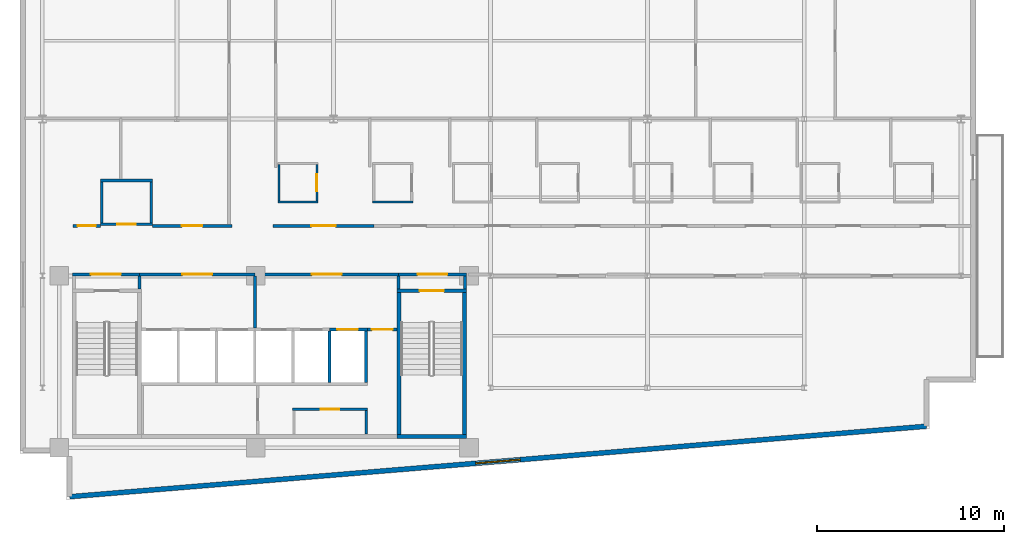
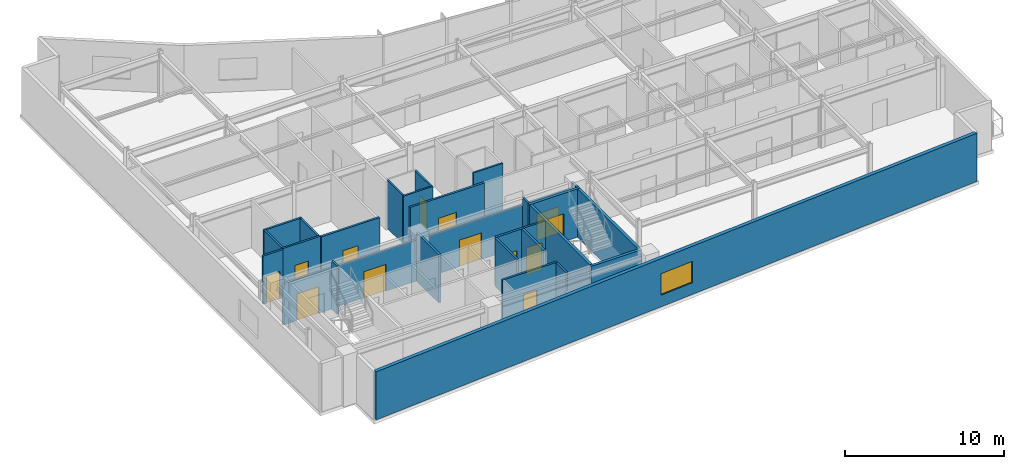
# One storey, part 9 of 15: 30 walls, 13 doors, 1 window, 14 openings.
"""IFC4 building model written with IfcOpenShell, lengths in metres."""

from ifc_helpers import new_model, si_unit, direction, frame, frame_2d, origin, place, context, subcontext, project, spatial, rectangle, extrude, material, layer, layer_set, type_object, element, fill, save


model = new_model("IFC4")

# Units and contexts
model_context = context("Model", 3, precision=1e-05, world=origin(), true_north=direction((0.0, 1.0)))
body_context = subcontext(model_context, "Body", "Model", "MODEL_VIEW")
ifc_project = project(units=[si_unit("LENGTHUNIT", "METRE"), si_unit("AREAUNIT", "SQUARE_METRE"), si_unit("VOLUMEUNIT", "CUBIC_METRE"), si_unit("PLANEANGLEUNIT", "RADIAN"), si_unit("MASSUNIT", "GRAM", prefix="KILO")], contexts=[model_context])

# Site, building, storey
site_placement = place(None, origin())
site = spatial("IfcSite", under=ifc_project, at=site_placement, CompositionType="ELEMENT")
building_placement = place(site_placement, origin())
building = spatial("IfcBuilding", under=site, at=building_placement, Name="Varnakote Quay Hospital", CompositionType="ELEMENT")
storey_placement = place(building_placement, frame((0.0, 0.0, 196.050048828125)))
storey = spatial("IfcBuildingStorey", under=building, at=storey_placement, Name="L48", CompositionType="ELEMENT", Elevation=196.050048828125)

# Wall, opening, door
ifc_material_1 = material(Name="Fire-rated acoustic gypsum stud wall", Category="gypsum")
ifc_layer_1 = layer(ifc_material_1, 0.159912109375)
ifc_layer_set_1 = layer_set([ifc_layer_1], Name="Fire-rated acoustic gypsum stud wall")
wall_type_1 = type_object("IfcWallType", Name="WL-COMP-160", PredefinedType="PARTITIONING", material=ifc_layer_set_1)
wall_1_placement = place(storey_placement, frame((2.800048828125, 12.080078125, 0.0), z_axis=(0.0, 0.0, 1.0), x_axis=(1.0, 0.0, 0.0)))
wall_1 = element("IfcWall", 1, at=wall_1_placement, inside=storey, type_object=wall_type_1, Name="L48 West Stair Vestibule Smoke Wall", PredefinedType="PARTITIONING", context=body_context, shape_type="SweptSolid", body=[
    extrude(rectangle(XDim=3.599853515625, YDim=0.159912109375, at=frame_2d((1.7998046875, 0.0))), origin(), (0.0, 0.0, 1.0), 3.15185546875),
])
opening_1_placement = place(wall_1_placement, frame((1.0, 0.0, 0.0)))
opening_1 = element("IfcOpeningElement", 2, at=opening_1_placement, cuts=wall_1, Name="Opening D-ST1L-L48", PredefinedType="OPENING", context=body_context, shape_type="SweptSolid", body=[
    extrude(rectangle(XDim=1.60009765625, YDim=2.050048828125, at=frame_2d((0.800048828125, 1.02490234375))), frame((0.0, 0.08984375, 0.0), z_axis=(0.0, -1.0, 0.0), x_axis=(1.0, 0.0, 0.0)), (0.0, 0.0, 1.0), 0.179931640625),
])
ifc_material_2 = material(Name="Fire-rated double smoke lobby door")
door_type_1 = type_object("IfcDoorType", Name="DR-LOBBY-FD60S-1600x2150", OperationType="NOTDEFINED", PredefinedType="DOOR", material=ifc_material_2)
door_1_placement = place(opening_1_placement, origin())
door_1 = element("IfcDoor", 3, at=door_1_placement, inside=storey, type_object=door_type_1, Name="L48 West Stair Vestibule Smoke Door", OperationType="DOUBLE_DOOR_SINGLE_SWING", OverallHeight=2.050048828125, OverallWidth=1.60009765625, PredefinedType="DOOR", context=body_context, shape_type="SweptSolid", body=[
    extrude(rectangle(XDim=1.60009765625, YDim=2.050048828125, at=frame_2d((0.800048828125, 1.02490234375))), frame((0.0, 0.02490234375, 0.0), z_axis=(0.0, -1.0, 0.0), x_axis=(1.0, 0.0, 0.0)), (0.0, 0.0, 1.0), 0.050048828125),
])
fill(opening_1, door_1)

# Wall
wall_2_placement = place(storey_placement, frame((6.39990234375, 11.300048828125, 0.0), z_axis=(0.0, 0.0, 1.0), x_axis=(0.0, 1.0, 0.0)))
element("IfcWall", 4, at=wall_2_placement, inside=storey, type_object=wall_type_1, Name="L48 Firefighting Lobby West Wall", PredefinedType="PARTITIONING", context=body_context, shape_type="SweptSolid", body=[
    extrude(rectangle(XDim=0.699951171875, YDim=0.159912109375, at=frame_2d((0.35009765625, 0.0))), origin(), (0.0, 0.0, 1.0), 3.7099609375),
])

# Wall, opening, door
wall_3_placement = place(storey_placement, frame((6.39990234375, 12.080078125, 0.0), z_axis=(0.0, 0.0, 1.0), x_axis=(1.0, 0.0, 0.0)))
wall_3 = element("IfcWall", 5, at=wall_3_placement, inside=storey, type_object=wall_type_1, Name="L48 Firefighting Lift Lobby Compartment Wall", PredefinedType="PARTITIONING", context=body_context, shape_type="SweptSolid", body=[
    extrude(rectangle(XDim=6.18017578125, YDim=0.159912109375, at=frame_2d((3.090087890625, 0.0))), origin(), (0.0, 0.0, 1.0), 3.15185546875),
])
opening_2_placement = place(wall_3_placement, frame((2.2900390625, 0.0, 0.0)))
opening_2 = element("IfcOpeningElement", 6, at=opening_2_placement, cuts=wall_3, Name="Opening D-FFL-L48", PredefinedType="OPENING", context=body_context, shape_type="SweptSolid", body=[
    extrude(rectangle(XDim=1.60009765625, YDim=2.050048828125, at=frame_2d((0.800048828125, 1.02490234375))), frame((0.0, 0.08984375, 0.0), z_axis=(0.0, -1.0, 0.0), x_axis=(1.0, 0.0, 0.0)), (0.0, 0.0, 1.0), 0.179931640625),
])
door_2_placement = place(opening_2_placement, origin())
door_2 = element("IfcDoor", 7, at=door_2_placement, inside=storey, type_object=door_type_1, Name="L48 Firefighting Smoke Vestibule Door", OperationType="DOUBLE_DOOR_SINGLE_SWING", OverallHeight=2.050048828125, OverallWidth=1.60009765625, PredefinedType="DOOR", context=body_context, shape_type="SweptSolid", body=[
    extrude(rectangle(XDim=1.60009765625, YDim=2.050048828125, at=frame_2d((0.800048828125, 1.02490234375))), frame((0.0, 0.02490234375, 0.0), z_axis=(0.0, -1.0, 0.0), x_axis=(1.0, 0.0, 0.0)), (0.0, 0.0, 1.0), 0.050048828125),
])
fill(opening_2, door_2)

# Wall
wall_4_placement = place(storey_placement, frame((12.580078125, 9.2099609375, 0.0), z_axis=(0.0, 0.0, 1.0), x_axis=(0.0, 1.0, 0.0)))
element("IfcWall", 8, at=wall_4_placement, inside=storey, type_object=wall_type_1, Name="L48 Firefighting to Service Lobby Wall", PredefinedType="PARTITIONING", context=body_context, shape_type="SweptSolid", body=[
    extrude(rectangle(XDim=2.7900390625, YDim=0.159912109375, at=frame_2d((1.39501953125, 0.0))), origin(), (0.0, 0.0, 1.0), 3.7099609375),
])

# Wall, opening, door
wall_5_placement = place(storey_placement, frame((12.580078125, 12.080078125, 0.0), z_axis=(0.0, 0.0, 1.0), x_axis=(1.0, 0.0, 0.0)))
wall_5 = element("IfcWall", 9, at=wall_5_placement, inside=storey, type_object=wall_type_1, Name="L48 Clinical Bed Lift Lobby Wall", PredefinedType="PARTITIONING", context=body_context, shape_type="SweptSolid", body=[
    extrude(rectangle(XDim=7.699951171875, YDim=0.159912109375, at=frame_2d((3.85009765625, 0.0))), origin(), (0.0, 0.0, 1.0), 3.15185546875),
])
opening_3_placement = place(wall_5_placement, frame((3.050048828125, 0.0, 0.0)))
opening_3 = element("IfcOpeningElement", 10, at=opening_3_placement, cuts=wall_5, Name="Opening D-SVL-L48", PredefinedType="OPENING", context=body_context, shape_type="SweptSolid", body=[
    extrude(rectangle(XDim=1.60009765625, YDim=2.050048828125, at=frame_2d((0.800048828125, 1.02490234375))), frame((0.0, 0.08984375, 0.0), z_axis=(0.0, -1.0, 0.0), x_axis=(1.0, 0.0, 0.0)), (0.0, 0.0, 1.0), 0.179931640625),
])
door_3_placement = place(opening_3_placement, origin())
door_3 = element("IfcDoor", 11, at=door_3_placement, inside=storey, type_object=door_type_1, Name="L48 Clinical Core Smoke Vestibule Door", OperationType="DOUBLE_DOOR_SINGLE_SWING", OverallHeight=2.050048828125, OverallWidth=1.60009765625, PredefinedType="DOOR", context=body_context, shape_type="SweptSolid", body=[
    extrude(rectangle(XDim=1.60009765625, YDim=2.050048828125, at=frame_2d((0.800048828125, 1.02490234375))), frame((0.0, 0.02490234375, 0.0), z_axis=(0.0, -1.0, 0.0), x_axis=(1.0, 0.0, 0.0)), (0.0, 0.0, 1.0), 0.050048828125),
])
fill(opening_3, door_3)

# Wall
wall_6_placement = place(storey_placement, frame((20.280029296875, 11.300048828125, 0.0), z_axis=(0.0, 0.0, 1.0), x_axis=(0.0, 1.0, 0.0)))
element("IfcWall", 12, at=wall_6_placement, inside=storey, type_object=wall_type_1, Name="L48 East Stair Vestibule Divider Wall", PredefinedType="PARTITIONING", context=body_context, shape_type="SweptSolid", body=[
    extrude(rectangle(XDim=0.699951171875, YDim=0.159912109375, at=frame_2d((0.35009765625, 0.0))), origin(), (0.0, 0.0, 1.0), 3.7099609375),
])

# Wall, opening, door
wall_7_placement = place(storey_placement, frame((20.280029296875, 12.080078125, 0.0), z_axis=(0.0, 0.0, 1.0), x_axis=(1.0, 0.0, 0.0)))
wall_7 = element("IfcWall", 13, at=wall_7_placement, inside=storey, type_object=wall_type_1, Name="L48 East Stair Vestibule Smoke Wall", PredefinedType="PARTITIONING", context=body_context, shape_type="SweptSolid", body=[
    extrude(rectangle(XDim=3.619873046875, YDim=0.159912109375, at=frame_2d((1.81005859375, 0.0))), origin(), (0.0, 0.0, 1.0), 3.15185546875),
])
opening_4_placement = place(wall_7_placement, frame((1.010009765625, 0.0, 0.0)))
opening_4 = element("IfcOpeningElement", 14, at=opening_4_placement, cuts=wall_7, Name="Opening D-ST2L-L48", PredefinedType="OPENING", context=body_context, shape_type="SweptSolid", body=[
    extrude(rectangle(XDim=1.60009765625, YDim=2.050048828125, at=frame_2d((0.800048828125, 1.02490234375))), frame((0.0, 0.08984375, 0.0), z_axis=(0.0, -1.0, 0.0), x_axis=(1.0, 0.0, 0.0)), (0.0, 0.0, 1.0), 0.179931640625),
])
door_4_placement = place(opening_4_placement, origin())
door_4 = element("IfcDoor", 15, at=door_4_placement, inside=storey, type_object=door_type_1, Name="L48 East Stair Vestibule Smoke Door", OperationType="DOUBLE_DOOR_SINGLE_SWING", OverallHeight=2.050048828125, OverallWidth=1.60009765625, PredefinedType="DOOR", context=body_context, shape_type="SweptSolid", body=[
    extrude(rectangle(XDim=1.60009765625, YDim=2.050048828125, at=frame_2d((0.800048828125, 1.02490234375))), frame((0.0, 0.02490234375, 0.0), z_axis=(0.0, -1.0, 0.0), x_axis=(1.0, 0.0, 0.0)), (0.0, 0.0, 1.0), 0.050048828125),
])
fill(opening_4, door_4)

# Walls
wall_8_placement = place(storey_placement, frame((23.820068359375, 11.300048828125, 0.0), z_axis=(0.0, 0.0, 1.0), x_axis=(0.0, 1.0, 0.0)))
element("IfcWall", 16, at=wall_8_placement, inside=storey, type_object=wall_type_1, Name="L48 East Stair Vestibule East Wall", PredefinedType="PARTITIONING", context=body_context, shape_type="SweptSolid", body=[
    extrude(rectangle(XDim=0.699951171875, YDim=0.159912109375, at=frame_2d((0.35009765625, 0.0))), origin(), (0.0, 0.0, 1.0), 3.7099609375),
])
ifc_material_3 = material(Name="Moisture-resistant bathroom partition", Category="gypsum")
ifc_layer_2 = layer(ifc_material_3, 0.114990234375)
ifc_layer_set_2 = layer_set([ifc_layer_2], Name="Moisture-resistant bathroom partition")
wall_type_2 = type_object("IfcWallType", Name="WL-ENS-115", PredefinedType="PARTITIONING", material=ifc_layer_set_2)
wall_9_placement = place(storey_placement, frame((13.804931640625, 15.952392578125, 0.0), z_axis=(0.0, 0.0, 1.0), x_axis=(1.0, 0.0, 0.0)))
element("IfcWall", 17, at=wall_9_placement, inside=storey, type_object=wall_type_2, Name="L48 Inpatient En-Suite Bathroom 01 S Wall", PredefinedType="PARTITIONING", context=body_context, shape_type="SweptSolid", body=[
    extrude(rectangle(XDim=2.150146484375, YDim=0.114990234375, at=frame_2d((1.0751953125, 0.0))), origin(), (0.0, 0.0, 1.0), 3.7099609375),
])
wall_10_placement = place(storey_placement, frame((13.862548828125, 16.010009765625, 0.0), z_axis=(0.0, 0.0, 1.0), x_axis=(0.0, 1.0, 0.0)))
element("IfcWall", 18, at=wall_10_placement, inside=storey, type_object=wall_type_2, Name="L48 Inpatient En-Suite Bathroom 01 W Wall", PredefinedType="PARTITIONING", context=body_context, shape_type="SweptSolid", body=[
    extrude(rectangle(XDim=1.949951171875, YDim=0.114990234375, at=frame_2d((0.97509765625, 0.0))), origin(), (0.0, 0.0, 1.0), 3.7099609375),
])

# Wall, opening, door
wall_11_placement = place(storey_placement, frame((15.8974609375, 16.010009765625, 0.0), z_axis=(0.0, 0.0, 1.0), x_axis=(0.0, 1.0, 0.0)))
wall_11 = element("IfcWall", 19, at=wall_11_placement, inside=storey, type_object=wall_type_2, Name="L48 Inpatient En-Suite Bathroom 01 E Wall", PredefinedType="PARTITIONING", context=body_context, shape_type="SweptSolid", body=[
    extrude(rectangle(XDim=1.949951171875, YDim=0.114990234375, at=frame_2d((0.97509765625, 0.0))), origin(), (0.0, 0.0, 1.0), 3.7099609375),
])
opening_5_placement = place(wall_11_placement, frame((0.514892578125, 0.0, 0.0)))
opening_5 = element("IfcOpeningElement", 20, at=opening_5_placement, cuts=wall_11, Name="Opening D-L48-ENS01", PredefinedType="OPENING", context=body_context, shape_type="SweptSolid", body=[
    extrude(rectangle(XDim=0.919921875, YDim=2.10009765625, at=frame_2d((0.4599609375, 1.050048828125))), frame((0.0, 0.0673828125, 0.0), z_axis=(0.0, -1.0, 0.0), x_axis=(1.0, 0.0, 0.0)), (0.0, 0.0, 1.0), 0.135009765625),
])
ifc_material_4 = material(Name="Moisture-sealed en-suite bathroom door")
door_type_2 = type_object("IfcDoorType", Name="DR-ENS-920x2100", OperationType="NOTDEFINED", PredefinedType="DOOR", material=ifc_material_4)
door_5_placement = place(opening_5_placement, origin())
door_5 = element("IfcDoor", 21, at=door_5_placement, inside=storey, type_object=door_type_2, Name="L48 Inpatient En-Suite Bathroom 01 Door", OperationType="SINGLE_SWING_RIGHT", OverallHeight=2.10009765625, OverallWidth=0.919921875, PredefinedType="DOOR", context=body_context, shape_type="SweptSolid", body=[
    extrude(rectangle(XDim=0.919921875, YDim=2.10009765625, at=frame_2d((0.4599609375, 1.050048828125))), frame((0.0, 0.02490234375, 0.0), z_axis=(0.0, -1.0, 0.0), x_axis=(1.0, 0.0, 0.0)), (0.0, 0.0, 1.0), 0.050048828125),
])
fill(opening_5, door_5)

# Wall
wall_12_placement = place(storey_placement, frame((18.885009765625, 15.952392578125, 0.0), z_axis=(0.0, 0.0, 1.0), x_axis=(1.0, 0.0, 0.0)))
element("IfcWall", 22, at=wall_12_placement, inside=storey, type_object=wall_type_2, Name="L48 Inpatient En-Suite Bathroom 02 S Wall", PredefinedType="PARTITIONING", context=body_context, shape_type="SweptSolid", body=[
    extrude(rectangle(XDim=2.14990234375, YDim=0.114990234375, at=frame_2d((1.074951171875, 0.0))), origin(), (0.0, 0.0, 1.0), 3.7099609375),
])

# Wall, opening, window
ifc_material_5 = material(Name="Precast concrete N50 (f'c 50 MPa)", Category="concrete")
ifc_layer_3 = layer(ifc_material_5, 0.260009765625)
ifc_layer_set_3 = layer_set([ifc_layer_3], Name="Precast concrete N50 (f'c 50 MPa)")
wall_type_3 = type_object("IfcWallType", Name="WL-EXT-BRICK-260", PredefinedType="STANDARD", material=ifc_layer_set_3)
wall_13_placement = place(storey_placement, frame((2.659912109375, 0.173583984375, 0.0), z_axis=(0.0, 0.0, 1.0), x_axis=(0.996634028439, 0.081979347142, 0.0)))
wall_13 = element("IfcWall", 23, at=wall_13_placement, inside=storey, type_object=wall_type_3, Name="L48 Brick-Faced Precast Exterior Wall", PredefinedType="STANDARD", context=body_context, shape_type="SweptSolid", body=[
    extrude(rectangle(XDim=46.03515625, YDim=0.260009765625, at=frame_2d((23.017578125, 0.0))), origin(), (0.0, 0.0, 1.0), 3.7099609375),
])
opening_6_placement = place(wall_13_placement, frame((21.8173828125, 0.0, 0.89990234375)))
opening_6 = element("IfcOpeningElement", 24, at=opening_6_placement, cuts=wall_13, Name="Opening WN-0198", PredefinedType="OPENING", context=body_context, shape_type="SweptSolid", body=[
    extrude(rectangle(XDim=2.39990234375, YDim=1.64990234375, at=frame_2d((1.199951171875, 0.824951171875))), frame((0.0, 0.139892578125, 0.0), z_axis=(0.0, -1.0, 0.0), x_axis=(1.0, 0.0, 0.0)), (0.0, 0.0, 1.0), 0.280029296875),
])
ifc_material_6 = material(Name="Double-glazed low-E solar glass", Category="glass")
window_type = type_object("IfcWindowType", Name="WIN-CLIN-2400x1650", PartitioningType="SINGLE_PANEL", PredefinedType="WINDOW", material=ifc_material_6)
window_placement = place(opening_6_placement, origin())
window = element("IfcWindow", 25, at=window_placement, inside=storey, type_object=window_type, Name="L48 Solar-Control Clinical Window", OverallHeight=1.64990234375, OverallWidth=2.39990234375, PartitioningType="SINGLE_PANEL", PredefinedType="WINDOW", context=body_context, shape_type="SweptSolid", body=[
    extrude(rectangle(XDim=2.39990234375, YDim=1.64990234375, at=frame_2d((1.199951171875, 0.824951171875))), frame((0.0, 0.030029296875, 0.0), z_axis=(0.0, -1.0, 0.0), x_axis=(1.0, 0.0, 0.0)), (0.0, 0.0, 1.0), 0.06005859375),
])
fill(opening_6, window)

# Walls
ifc_material_7 = material(Name="Concrete N50 (f'c 50 MPa)", Category="concrete")
ifc_layer_4 = layer(ifc_material_7, 0.14990234375)
ifc_layer_set_4 = layer_set([ifc_layer_4], Name="Concrete N50 (f'c 50 MPa)")
wall_type_4 = type_object("IfcWallType", Name="WL-SHAFT-N50-150", PredefinedType="SHEAR", material=ifc_layer_set_4)
wall_14_placement = place(storey_placement, frame((16.574951171875, 6.300048828125, 0.0), z_axis=(0.0, 0.0, 1.0), x_axis=(0.0, 1.0, 0.0)))
element("IfcWall", 26, at=wall_14_placement, inside=storey, type_object=wall_type_4, Name="L48 LF-PH1 Hoistway Divider Wall", PredefinedType="SHEAR", context=body_context, shape_type="SweptSolid", body=[
    extrude(rectangle(XDim=2.75, YDim=0.14990234375, at=frame_2d((1.375, 0.0))), origin(), (0.0, 0.0, 1.0), 3.7099609375),
])
ifc_material_8 = material(Name="Concrete N50 (f'c 50 MPa)", Category="concrete")
ifc_layer_5 = layer(ifc_material_8, 0.159912109375)
ifc_layer_set_5 = layer_set([ifc_layer_5], Name="Concrete N50 (f'c 50 MPa)")
wall_type_5 = type_object("IfcWallType", Name="WL-SHAFT-N50-160", PredefinedType="SHEAR", material=ifc_layer_set_5)
wall_15_placement = place(storey_placement, frame((18.530029296875, 6.300048828125, 0.0), z_axis=(0.0, 0.0, 1.0), x_axis=(0.0, 1.0, 0.0)))
element("IfcWall", 27, at=wall_15_placement, inside=storey, type_object=wall_type_5, Name="L48 REAR Lift Bank East Shear Wall", PredefinedType="SHEAR", context=body_context, shape_type="SweptSolid", body=[
    extrude(rectangle(XDim=2.75, YDim=0.159912109375, at=frame_2d((1.375, 0.0))), origin(), (0.0, 0.0, 1.0), 3.7099609375),
])

# Wall, opening, door
wall_16_placement = place(storey_placement, frame((16.574951171875, 9.1298828125, 0.0), z_axis=(0.0, 0.0, 1.0), x_axis=(1.0, 0.0, 0.0)))
wall_16 = element("IfcWall", 28, at=wall_16_placement, inside=storey, type_object=wall_type_5, Name="L48 LF-PH2 Hoistway Front Wall", PredefinedType="SHEAR", context=body_context, shape_type="SweptSolid", body=[
    extrude(rectangle(XDim=2.03515625, YDim=0.159912109375, at=frame_2d((1.017578125, 0.0))), origin(), (0.0, 0.0, 1.0), 3.7099609375),
])
opening_7_placement = place(wall_16_placement, frame((0.425048828125, 0.0, 0.0)))
opening_7 = element("IfcOpeningElement", 29, at=opening_7_placement, cuts=wall_16, Name="Opening LD-PH2-L48", PredefinedType="OPENING", context=body_context, shape_type="SweptSolid", body=[
    extrude(rectangle(XDim=1.10009765625, YDim=2.14990234375, at=frame_2d((0.550048828125, 1.074951171875))), frame((0.0, 0.08984375, 0.0), z_axis=(0.0, -1.0, 0.0), x_axis=(1.0, 0.0, 0.0)), (0.0, 0.0, 1.0), 0.179931640625),
])
ifc_material_9 = material(Name="Brushed bronze lift landing sliding door")
door_type_3 = type_object("IfcDoorType", Name="DR-LIFT-LD-1100x2150", OperationType="NOTDEFINED", PredefinedType="DOOR", material=ifc_material_9)
door_6_placement = place(opening_7_placement, origin())
door_6 = element("IfcDoor", 30, at=door_6_placement, inside=storey, type_object=door_type_3, Name="L48 LF-PH2 Lift Landing Sliding Door", OperationType="SLIDING_TO_LEFT", OverallHeight=2.14990234375, OverallWidth=1.10009765625, PredefinedType="DOOR", context=body_context, shape_type="SweptSolid", body=[
    extrude(rectangle(XDim=1.10009765625, YDim=2.14990234375, at=frame_2d((0.550048828125, 1.074951171875))), frame((0.0, 0.02490234375, 0.0), z_axis=(0.0, -1.0, 0.0), x_axis=(1.0, 0.0, 0.0)), (0.0, 0.0, 1.0), 0.050048828125),
])
fill(opening_7, door_6)

# Walls
ifc_material_10 = material(Name="Concrete N50 (f'c 50 MPa)", Category="concrete")
ifc_layer_6 = layer(ifc_material_10, 0.199951171875)
ifc_layer_set_6 = layer_set([ifc_layer_6], Name="Concrete N50 (f'c 50 MPa)")
wall_type_6 = type_object("IfcWallType", Name="WL-SHAFT-N50-200", PredefinedType="SHEAR", material=ifc_layer_set_6)
wall_17_placement = place(storey_placement, frame((20.199951171875, 3.39990234375, 0.0), z_axis=(0.0, 0.0, 1.0), x_axis=(1.0, 0.0, 0.0)))
element("IfcWall", 31, at=wall_17_placement, inside=storey, type_object=wall_type_6, Name="L48 Stair ST2 South Shaft Wall", PredefinedType="SHEAR", context=body_context, shape_type="SweptSolid", body=[
    extrude(rectangle(XDim=3.699951171875, YDim=0.199951171875, at=frame_2d((1.85009765625, 0.0))), origin(), (0.0, 0.0, 1.0), 3.7099609375),
])
for number, where, z_axis, x_axis, name in (
    (32, (20.300048828125, 3.5, 0.0), (0.0, 0.0, 1.0), (0.0, 1.0, 0.0), "L48 Stair ST2 West Shaft Wall"),
    (33, (23.800048828125, 3.5, 0.0), (0.0, 0.0, 1.0), (0.0, 1.0, 0.0), "L48 Stair ST2 East Shaft Wall"),
):
    element("IfcWall", number, at=place(storey_placement, frame(where, z_axis=z_axis, x_axis=x_axis)), inside=storey, type_object=wall_type_6, Name=name, PredefinedType="SHEAR", context=body_context, shape_type="SweptSolid", body=[
        extrude(rectangle(XDim=7.60009765625, YDim=0.199951171875, at=frame_2d((3.800048828125, 0.0))), origin(), (0.0, 0.0, 1.0), 3.7099609375),
    ])

# Wall, opening, door
wall_18_placement = place(storey_placement, frame((20.199951171875, 11.199951171875, 0.0), z_axis=(0.0, 0.0, 1.0), x_axis=(1.0, 0.0, 0.0)))
wall_18 = element("IfcWall", 34, at=wall_18_placement, inside=storey, type_object=wall_type_6, Name="L48 Stair ST2 Exit Wall", PredefinedType="SHEAR", context=body_context, shape_type="SweptSolid", body=[
    extrude(rectangle(XDim=3.699951171875, YDim=0.199951171875, at=frame_2d((1.85009765625, 0.0))), origin(), (0.0, 0.0, 1.0), 3.7099609375),
])
opening_8_placement = place(wall_18_placement, frame((1.199951171875, 0.0, 0.0)))
opening_8 = element("IfcOpeningElement", 35, at=opening_8_placement, cuts=wall_18, Name="Opening D-ST2-L48", PredefinedType="OPENING", context=body_context, shape_type="SweptSolid", body=[
    extrude(rectangle(XDim=1.300048828125, YDim=2.14990234375, at=frame_2d((0.64990234375, 1.074951171875))), frame((0.0, 0.10986328125, 0.0), z_axis=(0.0, -1.0, 0.0), x_axis=(1.0, 0.0, 0.0)), (0.0, 0.0, 1.0), 0.219970703125),
])
ifc_material_11 = material(Name="Fire-rated ceramic-glazed timber exit door", Category="wood")
door_type_4 = type_object("IfcDoorType", Name="DR-STAIR-FD60S-1300x2150", OperationType="NOTDEFINED", PredefinedType="DOOR", material=ifc_material_11)
door_7_placement = place(opening_8_placement, origin())
door_7 = element("IfcDoor", 36, at=door_7_placement, inside=storey, type_object=door_type_4, Name="L48 Stair ST2 Fire Exit Door", OperationType="SINGLE_SWING_LEFT", OverallHeight=2.14990234375, OverallWidth=1.300048828125, PredefinedType="DOOR", context=body_context, shape_type="SweptSolid", body=[
    extrude(rectangle(XDim=1.300048828125, YDim=2.14990234375, at=frame_2d((0.64990234375, 1.074951171875))), frame((0.0, 0.02490234375, 0.0), z_axis=(0.0, -1.0, 0.0), x_axis=(1.0, 0.0, 0.0)), (0.0, 0.0, 1.0), 0.050048828125),
])
fill(opening_8, door_7)

# Wall
ifc_material_12 = material(Name="Smoke-proof clinical partition", Category="gypsum")
ifc_layer_7 = layer(ifc_material_12, 0.1201171875)
ifc_layer_set_7 = layer_set([ifc_layer_7], Name="Smoke-proof clinical partition")
wall_type_7 = type_object("IfcWallType", Name="WL-SMOKE-120", PredefinedType="PARTITIONING", material=ifc_layer_set_7)
wall_19_placement = place(storey_placement, frame((18.5400390625, 3.52001953125, 0.0), z_axis=(0.0, 0.0, 1.0), x_axis=(0.0, 1.0, 0.0)))
element("IfcWall", 37, at=wall_19_placement, inside=storey, type_object=wall_type_7, Name="L48 Core WC East Wall", PredefinedType="PARTITIONING", context=body_context, shape_type="SweptSolid", body=[
    extrude(rectangle(XDim=1.260009765625, YDim=0.1201171875, at=frame_2d((0.6298828125, 0.0))), origin(), (0.0, 0.0, 1.0), 3.7099609375),
])

# Wall, opening, door
ifc_material_13 = material(Name="Fire-rated clinical gypsum partition", Category="gypsum")
ifc_layer_8 = layer(ifc_material_13, 0.139892578125)
ifc_layer_set_8 = layer_set([ifc_layer_8], Name="Fire-rated clinical gypsum partition")
wall_type_8 = type_object("IfcWallType", Name="WL-WARD-140", PredefinedType="PARTITIONING", material=ifc_layer_set_8)
wall_20_placement = place(storey_placement, frame((14.60009765625, 4.85009765625, 0.0), z_axis=(0.0, 0.0, 1.0), x_axis=(1.0, 0.0, 0.0)))
wall_20 = element("IfcWall", 38, at=wall_20_placement, inside=storey, type_object=wall_type_8, Name="L48 Core Staff Sanitary WC North Wall", PredefinedType="PARTITIONING", context=body_context, shape_type="SweptSolid", body=[
    extrude(rectangle(XDim=4.0, YDim=0.139892578125, at=frame_2d((2.0, 0.0))), origin(), (0.0, 0.0, 1.0), 3.7099609375),
])
opening_9_placement = place(wall_20_placement, frame((1.510009765625, 0.0, 0.0)))
opening_9 = element("IfcOpeningElement", 39, at=opening_9_placement, cuts=wall_20, Name="Opening D-L48-CR02", PredefinedType="OPENING", context=body_context, shape_type="SweptSolid", body=[
    extrude(rectangle(XDim=0.97998046875, YDim=2.10009765625, at=frame_2d((0.489990234375, 1.050048828125))), frame((0.0, 0.079833984375, 0.0), z_axis=(0.0, -1.0, 0.0), x_axis=(1.0, 0.0, 0.0)), (0.0, 0.0, 1.0), 0.159912109375),
])
ifc_material_14 = material(Name="Accessible sanitary compartment door")
door_type_5 = type_object("IfcDoorType", Name="DR-WC-980x2100", OperationType="NOTDEFINED", PredefinedType="DOOR", material=ifc_material_14)
door_8_placement = place(opening_9_placement, origin())
door_8 = element("IfcDoor", 40, at=door_8_placement, inside=storey, type_object=door_type_5, Name="L48 Core Staff Sanitary WC Door", OperationType="SINGLE_SWING_LEFT", OverallHeight=2.10009765625, OverallWidth=0.97998046875, PredefinedType="DOOR", context=body_context, shape_type="SweptSolid", body=[
    extrude(rectangle(XDim=0.97998046875, YDim=2.10009765625, at=frame_2d((0.489990234375, 1.050048828125))), frame((0.0, 0.02490234375, 0.0), z_axis=(0.0, -1.0, 0.0), x_axis=(1.0, 0.0, 0.0)), (0.0, 0.0, 1.0), 0.050048828125),
])
fill(opening_9, door_8)

wall_21_placement = place(storey_placement, frame((18.610107421875, 9.1298828125, 0.0), z_axis=(0.0, 0.0, 1.0), x_axis=(1.0, 0.0, 0.0)))
wall_21 = element("IfcWall", 41, at=wall_21_placement, inside=storey, type_object=wall_type_8, Name="L48 Core Service Corridor North Door Wall", PredefinedType="PARTITIONING", context=body_context, shape_type="SweptSolid", body=[
    extrude(rectangle(XDim=1.58984375, YDim=0.139892578125, at=frame_2d((0.794921875, 0.0))), origin(), (0.0, 0.0, 1.0), 3.7099609375),
])
opening_10_placement = place(wall_21_placement, frame((0.239990234375, 0.0, 0.0)))
opening_10 = element("IfcOpeningElement", 42, at=opening_10_placement, cuts=wall_21, Name="Opening D-CSRV-L48", PredefinedType="OPENING", context=body_context, shape_type="SweptSolid", body=[
    extrude(rectangle(XDim=1.10009765625, YDim=2.10009765625, at=frame_2d((0.550048828125, 1.050048828125))), frame((0.0, 0.079833984375, 0.0), z_axis=(0.0, -1.0, 0.0), x_axis=(1.0, 0.0, 0.0)), (0.0, 0.0, 1.0), 0.159912109375),
])
ifc_material_15 = material(Name="Acoustic timber clinical consult door", Category="wood")
door_type_6 = type_object("IfcDoorType", Name="DR-CLIN-FD30S-1100x2100", OperationType="NOTDEFINED", PredefinedType="DOOR", material=ifc_material_15)
door_9_placement = place(opening_10_placement, origin())
door_9 = element("IfcDoor", 43, at=door_9_placement, inside=storey, type_object=door_type_6, Name="L48 Core Service Corridor Door", OperationType="SINGLE_SWING_RIGHT", OverallHeight=2.10009765625, OverallWidth=1.10009765625, PredefinedType="DOOR", context=body_context, shape_type="SweptSolid", body=[
    extrude(rectangle(XDim=1.10009765625, YDim=2.10009765625, at=frame_2d((0.550048828125, 1.050048828125))), frame((0.0, 0.02490234375, 0.0), z_axis=(0.0, -1.0, 0.0), x_axis=(1.0, 0.0, 0.0)), (0.0, 0.0, 1.0), 0.050048828125),
])
fill(opening_10, door_9)

wall_22_placement = place(storey_placement, frame((4.31005859375, 14.77001953125, 0.0), z_axis=(0.0, 0.0, 1.0), x_axis=(1.0, 0.0, 0.0)))
wall_22 = element("IfcWall", 44, at=wall_22_placement, inside=storey, type_object=wall_type_8, Name="L48 Floor Unisex Accessible WC S Wall", PredefinedType="PARTITIONING", context=body_context, shape_type="SweptSolid", body=[
    extrude(rectangle(XDim=2.780029296875, YDim=0.139892578125, at=frame_2d((1.39013671875, 0.0))), origin(), (0.0, 0.0, 1.0), 3.7099609375),
])
opening_11_placement = place(wall_22_placement, frame((0.89990234375, 0.0, 0.0)))
opening_11 = element("IfcOpeningElement", 45, at=opening_11_placement, cuts=wall_22, Name="Opening D-L48-EW01", PredefinedType="OPENING", context=body_context, shape_type="SweptSolid", body=[
    extrude(rectangle(XDim=0.97998046875, YDim=2.10009765625, at=frame_2d((0.489990234375, 1.050048828125))), frame((0.0, 0.079833984375, 0.0), z_axis=(0.0, -1.0, 0.0), x_axis=(1.0, 0.0, 0.0)), (0.0, 0.0, 1.0), 0.159912109375),
])
door_10_placement = place(opening_11_placement, origin())
door_10 = element("IfcDoor", 46, at=door_10_placement, inside=storey, type_object=door_type_5, Name="L48 Floor Unisex Accessible WC Door", OperationType="SINGLE_SWING_LEFT", OverallHeight=2.10009765625, OverallWidth=0.97998046875, PredefinedType="DOOR", context=body_context, shape_type="SweptSolid", body=[
    extrude(rectangle(XDim=0.97998046875, YDim=2.10009765625, at=frame_2d((0.489990234375, 1.050048828125))), frame((0.0, 0.02490234375, 0.0), z_axis=(0.0, -1.0, 0.0), x_axis=(1.0, 0.0, 0.0)), (0.0, 0.0, 1.0), 0.050048828125),
])
fill(opening_11, door_10)

# Walls
wall_23_placement = place(storey_placement, frame((4.31005859375, 17.110107421875, 0.0), z_axis=(0.0, 0.0, 1.0), x_axis=(1.0, 0.0, 0.0)))
element("IfcWall", 47, at=wall_23_placement, inside=storey, type_object=wall_type_8, Name="L48 Floor Unisex Accessible WC N Wall", PredefinedType="PARTITIONING", context=body_context, shape_type="SweptSolid", body=[
    extrude(rectangle(XDim=2.780029296875, YDim=0.139892578125, at=frame_2d((1.39013671875, 0.0))), origin(), (0.0, 0.0, 1.0), 3.7099609375),
])
for number, where, z_axis, x_axis, name in (
    (48, (4.3798828125, 14.840087890625, 0.0), (0.0, 0.0, 1.0), (0.0, 1.0, 0.0), "L48 Floor Unisex Accessible WC W Wall"),
    (49, (7.02001953125, 14.840087890625, 0.0), (0.0, 0.0, 1.0), (0.0, 1.0, 0.0), "L48 Floor Unisex Accessible WC E Wall"),
):
    element("IfcWall", number, at=place(storey_placement, frame(where, z_axis=z_axis, x_axis=x_axis)), inside=storey, type_object=wall_type_8, Name=name, PredefinedType="PARTITIONING", context=body_context, shape_type="SweptSolid", body=[
        extrude(rectangle(XDim=2.199951171875, YDim=0.139892578125, at=frame_2d((1.10009765625, 0.0))), origin(), (0.0, 0.0, 1.0), 3.7099609375),
    ])

# Wall, opening, door
ifc_material_16 = material(Name="Fire-rated clinical gypsum partition", Category="gypsum")
ifc_layer_9 = layer(ifc_material_16, 0.14990234375)
ifc_layer_set_9 = layer_set([ifc_layer_9], Name="Fire-rated clinical gypsum partition")
wall_type_9 = type_object("IfcWallType", Name="WL-WARD-150", PredefinedType="PARTITIONING", material=ifc_layer_set_9)
wall_24_placement = place(storey_placement, frame((4.30810546875, 14.679931640625, 0.0), z_axis=(0.0, 0.0, 1.0), x_axis=(-1.0, 0.0, 0.0)))
wall_24 = element("IfcWall", 50, at=wall_24_placement, inside=storey, type_object=wall_type_9, Name="L48 Clinical Interior Partition", PredefinedType="PARTITIONING", context=body_context, shape_type="SweptSolid", body=[
    extrude(rectangle(XDim=1.4580078125, YDim=0.14990234375, at=frame_2d((0.72900390625, 0.0))), origin(), (0.0, 0.0, 1.0), 3.7099609375),
])
opening_12_placement = place(wall_24_placement, frame((0.239013671875, 0.0, 0.0)))
opening_12 = element("IfcOpeningElement", 51, at=opening_12_placement, cuts=wall_24, Name="Opening D-L48-MD01", PredefinedType="OPENING", context=body_context, shape_type="SweptSolid", body=[
    extrude(rectangle(XDim=0.97998046875, YDim=2.10009765625, at=frame_2d((0.489990234375, 1.050048828125))), frame((0.0, 0.0849609375, 0.0), z_axis=(0.0, -1.0, 0.0), x_axis=(1.0, 0.0, 0.0)), (0.0, 0.0, 1.0), 0.169921875),
])
door_11_placement = place(opening_12_placement, origin())
door_11 = element("IfcDoor", 52, at=door_11_placement, inside=storey, type_object=door_type_5, Name="L48 Ward Nurse Station Office Door", OperationType="SINGLE_SWING_LEFT", OverallHeight=2.10009765625, OverallWidth=0.97998046875, PredefinedType="DOOR", context=body_context, shape_type="SweptSolid", body=[
    extrude(rectangle(XDim=0.97998046875, YDim=2.10009765625, at=frame_2d((0.489990234375, 1.050048828125))), frame((0.0, 0.02490234375, 0.0), z_axis=(0.0, -1.0, 0.0), x_axis=(1.0, 0.0, 0.0)), (0.0, 0.0, 1.0), 0.050048828125),
])
fill(opening_12, door_11)

wall_25_placement = place(storey_placement, frame((11.345947265625, 14.679931640625, 0.0), z_axis=(0.0, 0.0, 1.0), x_axis=(-1.0, 0.0, 0.0)))
wall_25 = element("IfcWall", 53, at=wall_25_placement, inside=storey, type_object=wall_type_9, Name="L48 Clinical Interior Partition", PredefinedType="PARTITIONING", context=body_context, shape_type="SweptSolid", body=[
    extrude(rectangle(XDim=4.25390625, YDim=0.14990234375, at=frame_2d((2.126953125, 0.0))), origin(), (0.0, 0.0, 1.0), 3.7099609375),
])
opening_13_placement = place(wall_25_placement, frame((1.576904296875, 0.0, 0.0)))
opening_13 = element("IfcOpeningElement", 54, at=opening_13_placement, cuts=wall_25, Name="Opening D-L48-MD02", PredefinedType="OPENING", context=body_context, shape_type="SweptSolid", body=[
    extrude(rectangle(XDim=1.10009765625, YDim=2.10009765625, at=frame_2d((0.550048828125, 1.050048828125))), frame((0.0, 0.0849609375, 0.0), z_axis=(0.0, -1.0, 0.0), x_axis=(1.0, 0.0, 0.0)), (0.0, 0.0, 1.0), 0.169921875),
])
door_12_placement = place(opening_13_placement, origin())
door_12 = element("IfcDoor", 55, at=door_12_placement, inside=storey, type_object=door_type_6, Name="L48 Cardiology Telemetry Treatment Suite Door", OperationType="SINGLE_SWING_RIGHT", OverallHeight=2.10009765625, OverallWidth=1.10009765625, PredefinedType="DOOR", context=body_context, shape_type="SweptSolid", body=[
    extrude(rectangle(XDim=1.10009765625, YDim=2.10009765625, at=frame_2d((0.550048828125, 1.050048828125))), frame((0.0, 0.02490234375, 0.0), z_axis=(0.0, -1.0, 0.0), x_axis=(1.0, 0.0, 0.0)), (0.0, 0.0, 1.0), 0.050048828125),
])
fill(opening_13, door_12)

wall_26_placement = place(storey_placement, frame((18.966064453125, 14.679931640625, 0.0), z_axis=(0.0, 0.0, 1.0), x_axis=(-1.0, 0.0, 0.0)))
wall_26 = element("IfcWall", 56, at=wall_26_placement, inside=storey, type_object=wall_type_9, Name="L48 Clinical Interior Partition", PredefinedType="PARTITIONING", context=body_context, shape_type="SweptSolid", body=[
    extrude(rectangle(XDim=5.412109375, YDim=0.14990234375, at=frame_2d((2.7060546875, 0.0))), origin(), (0.0, 0.0, 1.0), 3.7099609375),
])
opening_14_placement = place(wall_26_placement, frame((2.055908203125, 0.0, 0.0)))
opening_14 = element("IfcOpeningElement", 57, at=opening_14_placement, cuts=wall_26, Name="Opening D-L48-BR01", PredefinedType="OPENING", context=body_context, shape_type="SweptSolid", body=[
    extrude(rectangle(XDim=1.300048828125, YDim=2.14990234375, at=frame_2d((0.64990234375, 1.074951171875))), frame((0.0, 0.0849609375, 0.0), z_axis=(0.0, -1.0, 0.0), x_axis=(1.0, 0.0, 0.0)), (0.0, 0.0, 1.0), 0.169921875),
])
ifc_material_17 = material(Name="Solid-core timber clinical bed door", Category="wood")
door_type_7 = type_object("IfcDoorType", Name="DR-WARD-FD30S-1300x2150", OperationType="NOTDEFINED", PredefinedType="DOOR", material=ifc_material_17)
door_13_placement = place(opening_14_placement, origin())
door_13 = element("IfcDoor", 58, at=door_13_placement, inside=storey, type_object=door_type_7, Name="L48 Resident Care Bedroom 01 Door", OperationType="SINGLE_SWING_LEFT", OverallHeight=2.14990234375, OverallWidth=1.300048828125, PredefinedType="DOOR", context=body_context, shape_type="SweptSolid", body=[
    extrude(rectangle(XDim=1.300048828125, YDim=2.14990234375, at=frame_2d((0.64990234375, 1.074951171875))), frame((0.0, 0.02490234375, 0.0), z_axis=(0.0, -1.0, 0.0), x_axis=(1.0, 0.0, 0.0)), (0.0, 0.0, 1.0), 0.050048828125),
])
fill(opening_14, door_13)

save(model, "model.ifc")
